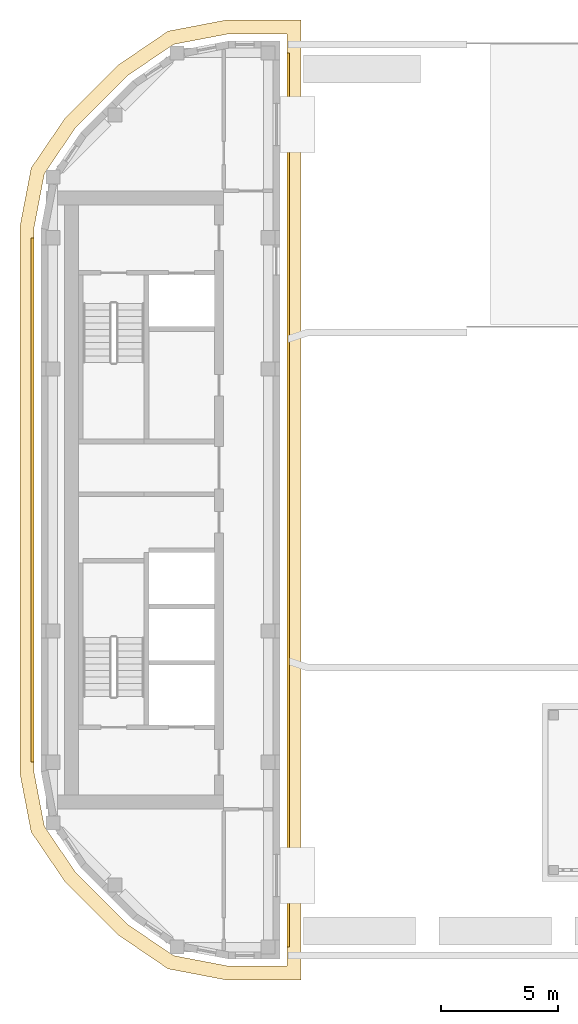
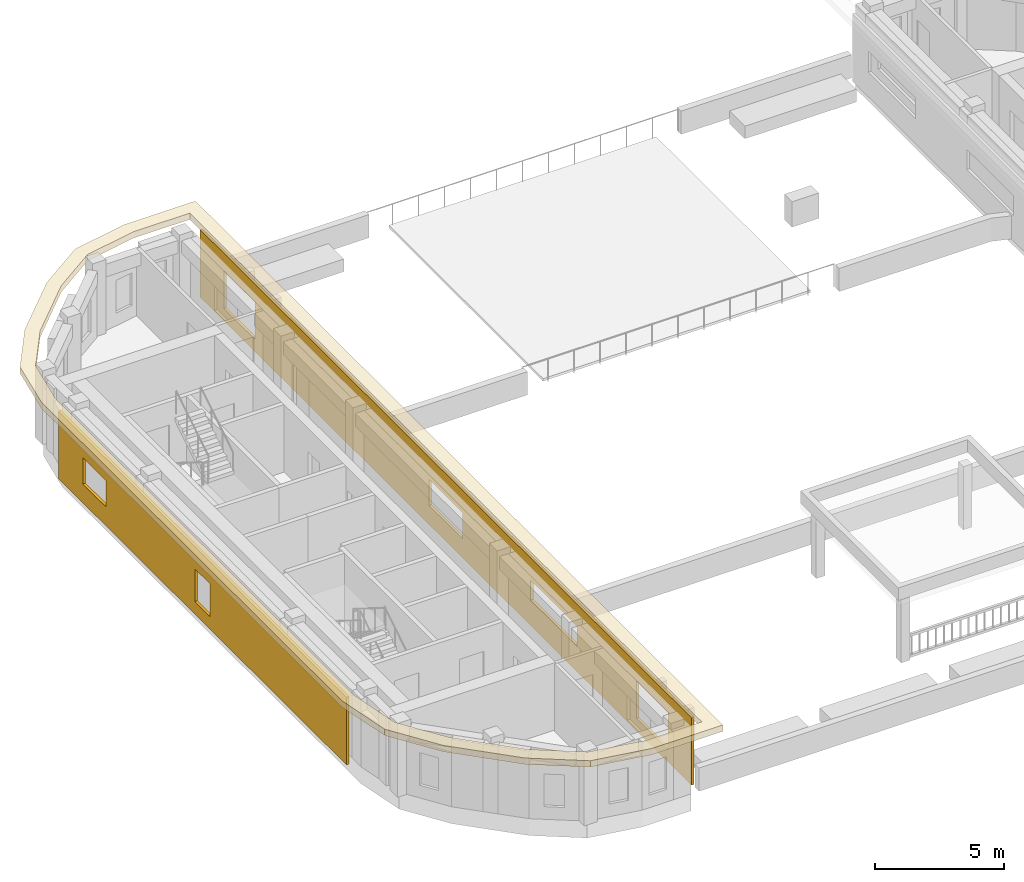
# One storey, part 7 of 14: 3 coverings.
"""IFC4 building model written with IfcOpenShell, lengths in metres."""

from ifc_helpers import new_model, si_unit, direction, frame, origin, place, context, subcontext, project, spatial, polyline, outline, extrude, material, layer, layer_set, type_object, element, save


model = new_model("IFC4")

# Units and contexts
model_context = context("Model", 3, precision=1e-05, world=origin(), true_north=direction((0.0, 1.0)))
body_context = subcontext(model_context, "Body", "Model", "MODEL_VIEW")
ifc_project = project(units=[si_unit("LENGTHUNIT", "METRE"), si_unit("AREAUNIT", "SQUARE_METRE"), si_unit("VOLUMEUNIT", "CUBIC_METRE"), si_unit("PLANEANGLEUNIT", "RADIAN"), si_unit("MASSUNIT", "GRAM", prefix="KILO")], contexts=[model_context])

# Site, building, storey
site_placement = place(None, origin())
site = spatial("IfcSite", under=ifc_project, at=site_placement, CompositionType="ELEMENT")
building_placement = place(site_placement, origin())
building = spatial("IfcBuilding", under=site, at=building_placement, Name="Kiln Ring Residences", CompositionType="ELEMENT")
storey_placement = place(building_placement, frame((0.0, 0.0, 299.89990234375)))
storey = spatial("IfcBuildingStorey", under=building, at=storey_placement, Name="L77 Crown", CompositionType="ELEMENT", Elevation=299.89990234375)

# Coverings
ifc_material_1 = material(Name="Brick masonry, dark clay brick", Category="masonry")
ifc_layer_1 = layer(ifc_material_1, 0.1201171875)
ifc_layer_set_1 = layer_set([ifc_layer_1], Name="RAINSCREEN PANEL 120")
covering_type_1 = type_object("IfcCoveringType", Name="RAINSCREEN PANEL 120", PredefinedType="CLADDING", material=ifc_layer_set_1)
covering_1_placement = place(storey_placement, frame((-14.639892578125, -19.10009765625, 0.0), z_axis=(0.0, 0.0, 1.0), x_axis=(0.0, 1.0, 0.0)))
element("IfcCovering", 1, at=covering_1_placement, inside=storey, type_object=covering_type_1, Name="RAINSCREEN L77 Crown", PredefinedType="CLADDING", context=body_context, shape_type="SweptSolid", body=[
    extrude(outline(polyline([(0.0, 0.0), (38.199951171875, 0.0), (38.199951171875, 3.2001953125), (0.0, 3.2001953125), (0.0, 0.0)]), holes=[polyline([(4.282470703125, 0.580078125), (4.282470703125, 2.3701171875), (1.842529296875, 2.3701171875), (1.842529296875, 0.580078125), (4.282470703125, 0.580078125)]), polyline([(36.357421875, 0.580078125), (36.357421875, 2.3701171875), (33.91748046875, 2.3701171875), (33.91748046875, 0.580078125), (36.357421875, 0.580078125)]), polyline([(20.39990234375, 0.900146484375), (20.39990234375, 2.150146484375), (17.800048828125, 2.150146484375), (17.800048828125, 0.900146484375), (20.39990234375, 0.900146484375)]), polyline([(12.5, 1.2001953125), (12.5, 2.150146484375), (8.89990234375, 2.150146484375), (8.89990234375, 1.2001953125), (12.5, 1.2001953125)])]), frame((0.0, 0.06005859375, 0.0), z_axis=(0.0, -1.0, 0.0), x_axis=(1.0, 0.0, 0.0)), (0.0, 0.0, 1.0), 0.1201171875),
])
covering_2_placement = place(storey_placement, frame((-25.56005859375, 11.199951171875, 0.0), z_axis=(0.0, 0.0, 1.0), x_axis=(0.0, -1.0, 0.0)))
element("IfcCovering", 2, at=covering_2_placement, inside=storey, type_object=covering_type_1, Name="RAINSCREEN L77 Crown", PredefinedType="CLADDING", context=body_context, shape_type="SweptSolid", body=[
    extrude(outline(polyline([(0.0, 0.0), (22.39990234375, 0.0), (22.39990234375, 3.2001953125), (0.0, 3.2001953125), (0.0, 0.0)]), holes=[polyline([(11.800048828125, 2.150146484375), (10.60009765625, 2.150146484375), (10.60009765625, 0.60009765625), (11.800048828125, 0.60009765625), (11.800048828125, 2.150146484375)]), polyline([(3.699951171875, 2.150146484375), (1.89990234375, 2.150146484375), (1.89990234375, 0.900146484375), (3.699951171875, 0.900146484375), (3.699951171875, 2.150146484375)])]), frame((0.0, 0.06005859375, 0.0), z_axis=(0.0, -1.0, 0.0), x_axis=(1.0, 0.0, 0.0)), (0.0, 0.0, 1.0), 0.1201171875),
])
ifc_material_2 = material(Name="Black powder-coated steel", Category="steel")
ifc_layer_2 = layer(ifc_material_2, 0.300048828125)
ifc_layer_set_2 = layer_set([ifc_layer_2], Name="SUNSHADE FIN 600")
covering_type_2 = type_object("IfcCoveringType", Name="SUNSHADE FIN 600", PredefinedType="CLADDING", material=ifc_layer_set_2)
covering_3_placement = place(storey_placement, frame((0.0, 0.0, 3.2001953125)))
element("IfcCovering", 3, at=covering_3_placement, inside=storey, type_object=covering_type_2, Name="SUNSHADE FIN L77 Crown", PredefinedType="CLADDING", context=body_context, shape_type="SweptSolid", body=[
    extrude(outline(polyline([(-24.199462890625, -16.273193359375), (-21.873291015625, -18.599609375), (-19.77587890625, -20.02490234375), (-17.28515625, -20.5), (-14.10009765625, -20.5), (-14.10009765625, 20.5), (-17.28515625, 20.5), (-19.77587890625, 20.02490234375), (-21.873291015625, 18.599609375), (-24.199462890625, 16.273193359375), (-25.625, 14.176025390625), (-26.10009765625, 11.68505859375), (-26.10009765625, -11.68505859375), (-25.625, -14.176025390625), (-24.199462890625, -16.273193359375)]), holes=[polyline([(-19.54150390625, -19.458740234375), (-21.489013671875, -18.135009765625), (-23.735107421875, -15.88916015625), (-25.058837890625, -13.94140625), (-25.5, -11.62841796875), (-25.5, 11.62841796875), (-25.058837890625, 13.94140625), (-23.735107421875, 15.88916015625), (-21.489013671875, 18.135009765625), (-19.54150390625, 19.458740234375), (-17.228515625, 19.89990234375), (-14.699951171875, 19.89990234375), (-14.699951171875, -19.89990234375), (-17.228515625, -19.89990234375), (-19.54150390625, -19.458740234375)])]), origin(), (0.0, 0.0, 1.0), 0.2998046875),
])

save(model, "model.ifc")
